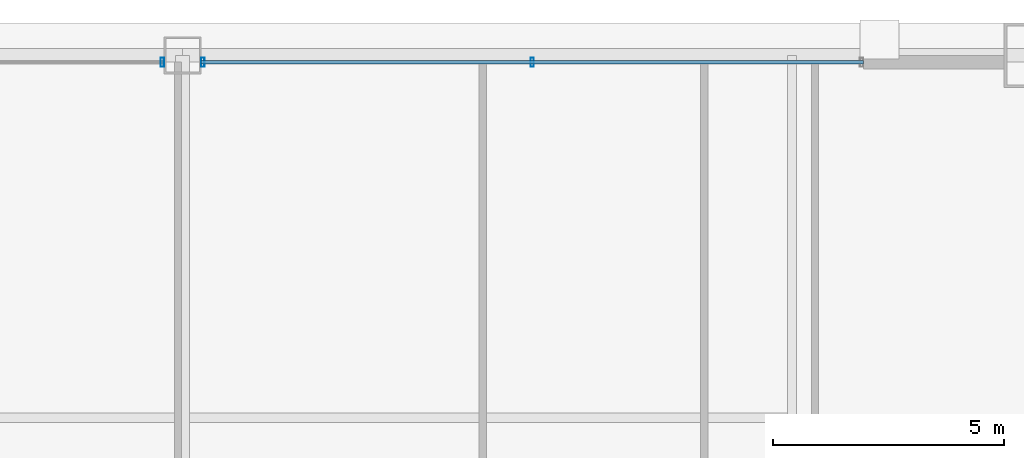
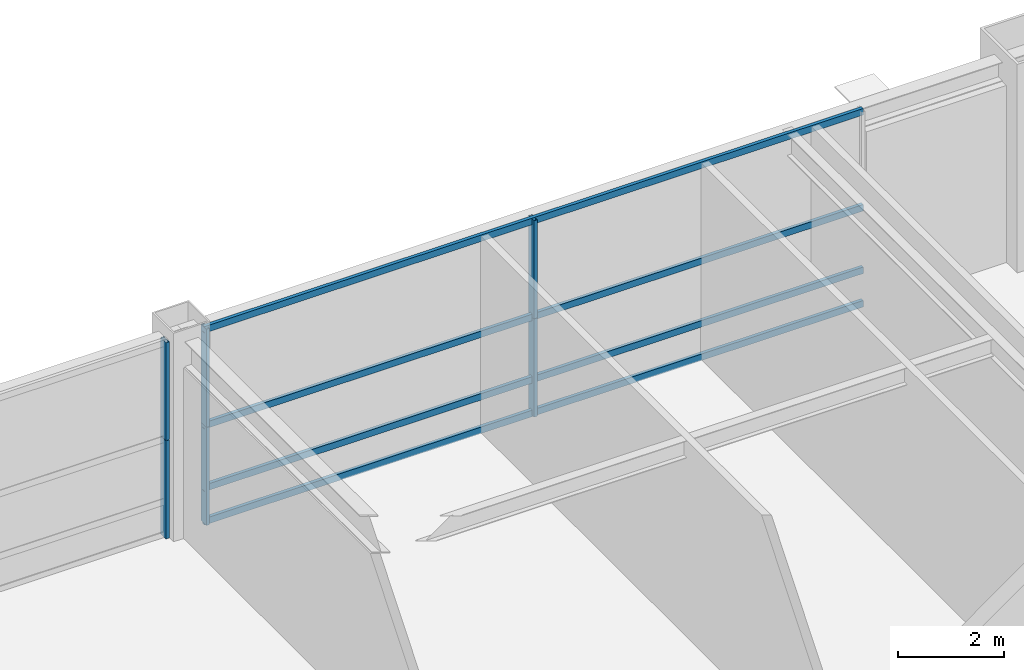
# One storey, part 27 of 34: 10 members, 2 elements without a shape of their own.
"""IFC4 building model written with IfcOpenShell, lengths in metres."""

from ifc_helpers import new_model, si_unit, direction, frame, origin, origin_2d, place, context, subcontext, project, spatial, hollow_rectangle, extrude, source, transform, mapped, material, layer, layer_set, material_profile, profile_set, type_object, element, aggregate, save


model = new_model("IFC4")

# Units and contexts
model_context = context("Model", 3, precision=1e-05, world=origin(), true_north=direction((0.0, 1.0)))
body_context = subcontext(model_context, "Body", "Model", "MODEL_VIEW")
ifc_project = project(units=[si_unit("LENGTHUNIT", "METRE"), si_unit("AREAUNIT", "SQUARE_METRE"), si_unit("VOLUMEUNIT", "CUBIC_METRE"), si_unit("PLANEANGLEUNIT", "RADIAN"), si_unit("MASSUNIT", "GRAM", prefix="KILO"), si_unit("THERMODYNAMICTEMPERATUREUNIT", "KELVIN"), si_unit("POWERUNIT", "WATT")], contexts=[model_context])

# Site, building, storey
site_placement = place(None, origin())
site = spatial("IfcSite", under=ifc_project, at=site_placement, CompositionType="ELEMENT")
building_placement = place(site_placement, origin())
building = spatial("IfcBuilding", under=site, at=building_placement, Name="Yuzanri Waterfront Tower", CompositionType="ELEMENT")
storey_placement = place(building_placement, frame((0.0, 0.0, 171.60009765625)))
storey = spatial("IfcBuildingStorey", under=building, at=storey_placement, Name="L45", CompositionType="ELEMENT", Elevation=171.60009765625)

# Curtain wall, member
ifc_material_1 = material(Name="Anodized Architectural Bronze", Category="metal")
ifc_layer = layer(ifc_material_1, 0.159912109375)
ifc_layer_set = layer_set([ifc_layer], Name="Anodized Architectural Bronze")
curtain_wall_type = type_object("IfcCurtainWallType", Name="Anodized Bronze Sky-Lobby Triple-Glazed Feature Curtain Wall 7500", PredefinedType="NOTDEFINED", material=ifc_layer_set)
curtain_wall_1_placement = place(storey_placement, origin())
curtain_wall_1 = element("IfcCurtainWall", 1, at=curtain_wall_1_placement, inside=storey, type_object=curtain_wall_type, Name="L45 Curtain Wall CW-L45-NL", PredefinedType="NOTDEFINED")
ifc_material_2 = material(Name="Anodized Architectural Bronze", Category="metal")
ifc_material_profile_1 = material_profile(ifc_material_2, hollow_rectangle(XDim=0.074951171875, YDim=0.199951171875, WallThickness=0.00390625, at=origin_2d()), Name="CWM 75x200")
ifc_profile_set_1 = profile_set([ifc_material_profile_1], Name="Anodized Architectural Bronze")
member_type_1 = type_object("IfcMemberType", Name="Anodized Bronze Primary Curtain-Wall Mullion 75x200", PredefinedType="MULLION", material=ifc_profile_set_1)
shared_shape_1 = source(origin(), body_context, "Body", "SweptSolid", [
    extrude(hollow_rectangle(XDim=0.074951171875, YDim=0.199951171875, WallThickness=0.00390625, at=origin_2d()), origin(), (0.0, 0.0, 1.0), 2.258056640625),
])
member_1_placement = place(storey_placement, frame((36.56005859375, 47.75, 2.261962890625), z_axis=(0.0, 0.0, 1.0), x_axis=(1.0, 0.0, 0.0)))
member_1 = element("IfcMember", 2, at=member_1_placement, type_object=member_type_1, Name="CW-L45-NL Upper Mullion 02", PredefinedType="MULLION", context=body_context, shape_type="MappedRepresentation", body=[
    mapped(shared_shape_1, transform((0.0, 0.0, 0.0), scale=1.0)),
])

# Curtain wall, members
curtain_wall_2_placement = place(storey_placement, origin())
curtain_wall_2 = element("IfcCurtainWall", 3, at=curtain_wall_2_placement, inside=storey, type_object=curtain_wall_type, Name="L45 Curtain Wall CW-L45-NR", PredefinedType="NOTDEFINED")
member_2_placement = place(storey_placement, frame((37.43994140625, 47.75, 2.261962890625), z_axis=(0.0, 0.0, 1.0), x_axis=(1.0, 0.0, 0.0)))
member_2 = element("IfcMember", 4, at=member_2_placement, type_object=member_type_1, Name="CW-L45-NR Upper Mullion 00", PredefinedType="MULLION", context=body_context, shape_type="MappedRepresentation", body=[
    mapped(shared_shape_1, transform((0.0, 0.0, 0.0), scale=1.0)),
])
member_3_placement = place(storey_placement, frame((44.574951171875, 47.75, 2.261962890625), z_axis=(0.0, 0.0, 1.0), x_axis=(1.0, 0.0, 0.0)))
member_3 = element("IfcMember", 5, at=member_3_placement, type_object=member_type_1, Name="CW-L45-NR Upper Mullion 01", PredefinedType="MULLION", context=body_context, shape_type="MappedRepresentation", body=[
    mapped(shared_shape_1, transform((0.0, 0.0, 0.0), scale=1.0)),
])

# Member
shared_shape_2 = source(origin(), body_context, "Body", "SweptSolid", [
    extrude(hollow_rectangle(XDim=0.074951171875, YDim=0.199951171875, WallThickness=0.00390625, at=origin_2d()), origin(), (0.0, 0.0, 1.0), 2.2578125),
])
member_4_placement = place(storey_placement, frame((36.56005859375, 47.75, 0.0), z_axis=(0.0, 0.0, 1.0), x_axis=(1.0, 0.0, 0.0)))
member_4 = element("IfcMember", 6, at=member_4_placement, type_object=member_type_1, Name="CW-L45-NL Lower Mullion 02", PredefinedType="MULLION", context=body_context, shape_type="MappedRepresentation", body=[
    mapped(shared_shape_2, transform((0.0, 0.0, 0.0), scale=1.0)),
])

aggregate(curtain_wall_1, [member_4, member_1])

member_5_placement = place(storey_placement, frame((37.43994140625, 47.75, 0.0), z_axis=(0.0, 0.0, 1.0), x_axis=(1.0, 0.0, 0.0)))
member_5 = element("IfcMember", 7, at=member_5_placement, type_object=member_type_1, Name="CW-L45-NR Lower Mullion 00", PredefinedType="MULLION", context=body_context, shape_type="MappedRepresentation", body=[
    mapped(shared_shape_2, transform((0.0, 0.0, 0.0), scale=1.0)),
])

member_6_placement = place(storey_placement, frame((44.574951171875, 47.75, 0.0), z_axis=(0.0, 0.0, 1.0), x_axis=(1.0, 0.0, 0.0)))
member_6 = element("IfcMember", 8, at=member_6_placement, type_object=member_type_1, Name="CW-L45-NR Lower Mullion 01", PredefinedType="MULLION", context=body_context, shape_type="MappedRepresentation", body=[
    mapped(shared_shape_2, transform((0.0, 0.0, 0.0), scale=1.0)),
])

ifc_material_3 = material(Name="Anodized Architectural Bronze", Category="metal")
ifc_material_profile_2 = material_profile(ifc_material_3, hollow_rectangle(XDim=0.074951171875, YDim=0.14990234375, WallThickness=0.00390625, at=origin_2d()), Name="CWT 75x150")
ifc_profile_set_2 = profile_set([ifc_material_profile_2], Name="Anodized Architectural Bronze")
member_type_2 = type_object("IfcMemberType", Name="Anodized Bronze Primary Curtain-Wall Transom 75x150", PredefinedType="USERDEFINED", material=ifc_profile_set_2)
shared_shape_3 = source(origin(), body_context, "Body", "SweptSolid", [
    extrude(hollow_rectangle(XDim=0.074951171875, YDim=0.14990234375, WallThickness=0.00390625, at=origin_2d()), origin(), (0.0, 0.0, 1.0), 14.35009765625),
])
member_7_placement = place(storey_placement, frame((37.39990234375, 47.75, 0.0498046875), z_axis=(1.0, 0.0, 0.0), x_axis=(0.0, 1.0, 0.0)))
member_7 = element("IfcMember", 9, at=member_7_placement, type_object=member_type_2, Name="CW-L45-NR Transom 1", ObjectType="TRANSOM", PredefinedType="USERDEFINED", context=body_context, shape_type="MappedRepresentation", body=[
    mapped(shared_shape_3, transform((0.0, 0.0, 0.0), scale=1.0)),
])

member_8_placement = place(storey_placement, frame((37.39990234375, 47.75, 0.81982421875), z_axis=(1.0, 0.0, 0.0), x_axis=(0.0, 1.0, 0.0)))
member_8 = element("IfcMember", 10, at=member_8_placement, type_object=member_type_2, Name="CW-L45-NR Transom 2", ObjectType="TRANSOM", PredefinedType="USERDEFINED", context=body_context, shape_type="MappedRepresentation", body=[
    mapped(shared_shape_3, transform((0.0, 0.0, 0.0), scale=1.0)),
])

member_9_placement = place(storey_placement, frame((37.39990234375, 47.75, 2.260009765625), z_axis=(1.0, 0.0, 0.0), x_axis=(0.0, 1.0, 0.0)))
member_9 = element("IfcMember", 11, at=member_9_placement, type_object=member_type_2, Name="CW-L45-NR Transom 3", ObjectType="TRANSOM", PredefinedType="USERDEFINED", context=body_context, shape_type="MappedRepresentation", body=[
    mapped(shared_shape_3, transform((0.0, 0.0, 0.0), scale=1.0)),
])

member_10_placement = place(storey_placement, frame((37.39990234375, 47.75, 4.469970703125), z_axis=(1.0, 0.0, 0.0), x_axis=(0.0, 1.0, 0.0)))
member_10 = element("IfcMember", 12, at=member_10_placement, type_object=member_type_2, Name="CW-L45-NR Transom 4", ObjectType="TRANSOM", PredefinedType="USERDEFINED", context=body_context, shape_type="MappedRepresentation", body=[
    mapped(shared_shape_3, transform((0.0, 0.0, 0.0), scale=1.0)),
])

aggregate(curtain_wall_2, [member_5, member_2, member_6, member_3, member_7, member_8, member_9, member_10])

save(model, "model.ifc")
